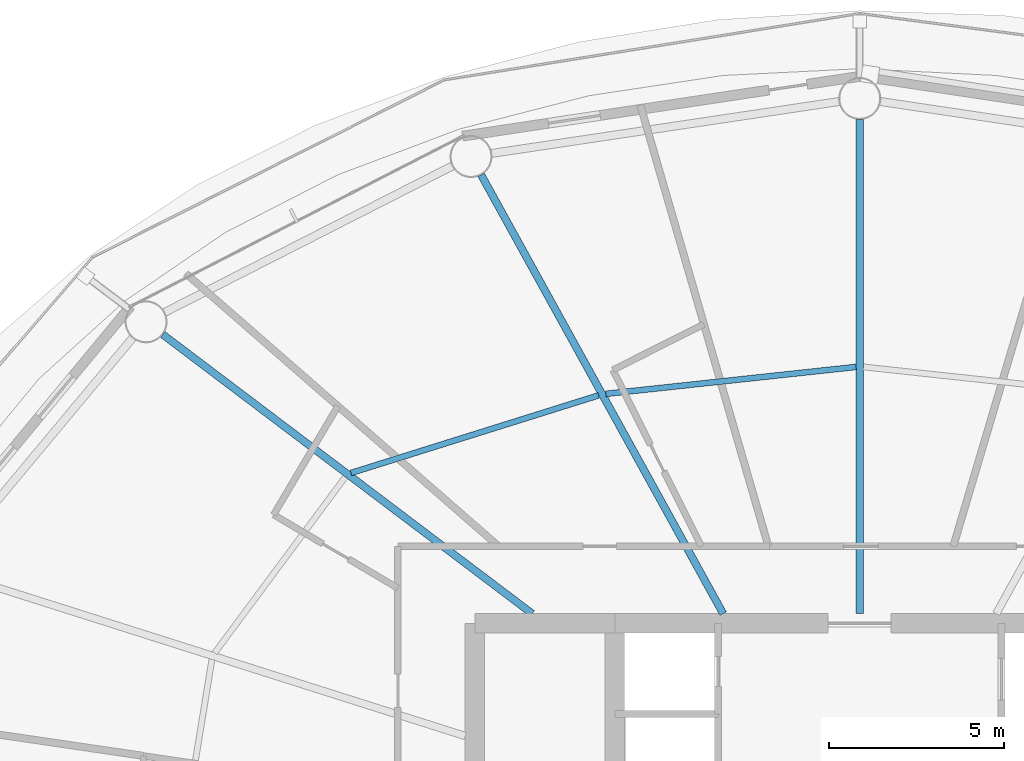
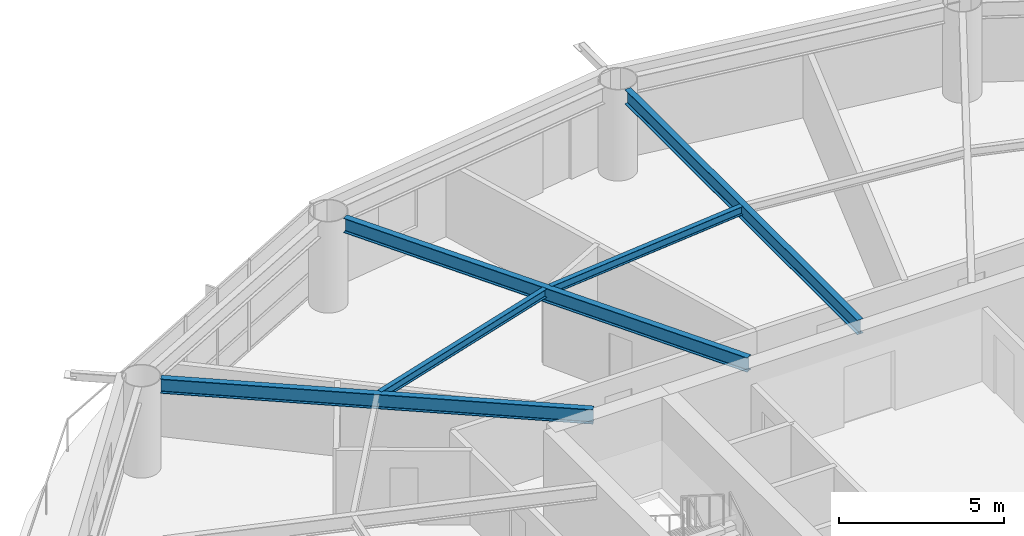
# One storey, part 9 of 24: 5 beams.
"""IFC4 building model written with IfcOpenShell, lengths in metres."""

from ifc_helpers import new_model, si_unit, direction, frame, origin, origin_2d, place, context, subcontext, project, spatial, i_section, extrude, material, material_profile, profile_set, type_object, element, save


model = new_model("IFC4")

# Units and contexts
model_context = context("Model", 3, precision=1e-05, world=origin(), true_north=direction((0.0, 1.0)))
body_context = subcontext(model_context, "Body", "Model", "MODEL_VIEW")
ifc_project = project(units=[si_unit("LENGTHUNIT", "METRE"), si_unit("AREAUNIT", "SQUARE_METRE"), si_unit("VOLUMEUNIT", "CUBIC_METRE"), si_unit("PLANEANGLEUNIT", "RADIAN"), si_unit("MASSUNIT", "GRAM", prefix="KILO")], contexts=[model_context])

# Site, building, storey
site_placement = place(None, origin())
site = spatial("IfcSite", under=ifc_project, at=site_placement, CompositionType="ELEMENT")
building_placement = place(site_placement, origin())
building = spatial("IfcBuilding", under=site, at=building_placement, Name="Sarneth Arch Tower", CompositionType="ELEMENT")
storey_placement = place(building_placement, frame((0.0, 0.0, 116.39990234375)))
storey = spatial("IfcBuildingStorey", under=building, at=storey_placement, Name="L29", CompositionType="ELEMENT", Elevation=116.39990234375)

# Beams
ifc_material_1 = material(Name="Steel S355", Category="steel")
ifc_material_profile_1 = material_profile(ifc_material_1, i_section(OverallWidth=0.1669921875, OverallDepth=0.31689453125, WebThickness=0.007568359375, FlangeThickness=0.01318359375, FilletRadius=0.012939453125, at=origin_2d()), Name="W310x52")
ifc_profile_set_1 = profile_set([ifc_material_profile_1], Name="Steel S355")
beam_type_1 = type_object("IfcBeamType", Name="BM-JOIST-310B", PredefinedType="JOIST", material=ifc_profile_set_1)
beam_1_placement = place(storey_placement, frame((47.89501953125, 56.126220703125, 3.2216796875), z_axis=(-0.994257420028, -0.107014871487, 0.0), x_axis=(0.107014871487, -0.994257420028, 0.0)))
element("IfcBeam", 1, at=beam_1_placement, inside=storey, type_object=beam_type_1, Name="L29 Secondary floor joist 05", PredefinedType="JOIST", context=body_context, shape_type="SweptSolid", body=[
    extrude(i_section(OverallWidth=0.1669921875, OverallDepth=0.31689453125, WebThickness=0.007568359375, FlangeThickness=0.01318359375, FilletRadius=0.012939453125, at=origin_2d()), origin(), (0.0, 0.0, 1.0), 7.193115234375),
])
beam_2_placement = place(storey_placement, frame((40.53759765625, 55.3134765625, 3.2216796875), z_axis=(-0.954245982384, -0.299022750146, 0.0), x_axis=(0.299022750146, -0.954245982384, 0.0)))
element("IfcBeam", 2, at=beam_2_placement, inside=storey, type_object=beam_type_1, Name="L29 Secondary floor joist 06", PredefinedType="JOIST", context=body_context, shape_type="SweptSolid", body=[
    extrude(i_section(OverallWidth=0.1669921875, OverallDepth=0.31689453125, WebThickness=0.007568359375, FlangeThickness=0.01318359375, FilletRadius=0.012939453125, at=origin_2d()), origin(), (0.0, 0.0, 1.0), 7.416748046875),
])
ifc_material_2 = material(Name="Steel S355", Category="steel")
ifc_material_profile_2 = material_profile(ifc_material_2, i_section(OverallWidth=0.2109375, OverallDepth=0.5390625, WebThickness=0.01171875, FlangeThickness=0.018798828125, FilletRadius=0.01806640625, at=origin_2d()), Name="W530x109")
ifc_profile_set_2 = profile_set([ifc_material_profile_2], Name="Steel S355")
beam_type_2 = type_object("IfcBeamType", Name="BM-RAD-530B", PredefinedType="BEAM", material=ifc_profile_set_2)
beam_3_placement = place(storey_placement, frame((48.0, 49.074951171875, 3.110595703125), z_axis=(0.0, 1.0, 0.0), x_axis=(-1.0, 0.0, 0.0)))
element("IfcBeam", 3, at=beam_3_placement, inside=storey, type_object=beam_type_2, Name="L29 Radial floor girder 05", PredefinedType="BEAM", context=body_context, shape_type="SweptSolid", body=[
    extrude(i_section(OverallWidth=0.2109375, OverallDepth=0.5390625, WebThickness=0.01171875, FlangeThickness=0.018798828125, FilletRadius=0.01806640625, at=origin_2d()), origin(), (0.0, 0.0, 1.0), 14.125),
])
beam_4_placement = place(storey_placement, frame((44.09716796875, 49.074951171875, 3.110595703125), z_axis=(-0.483021011336, 0.875608761153, 0.0), x_axis=(-0.875608761153, -0.483021011336, 0.0)))
element("IfcBeam", 4, at=beam_4_placement, inside=storey, type_object=beam_type_2, Name="L29 Radial floor girder 06", PredefinedType="BEAM", context=body_context, shape_type="SweptSolid", body=[
    extrude(i_section(OverallWidth=0.2109375, OverallDepth=0.5390625, WebThickness=0.01171875, FlangeThickness=0.018798828125, FilletRadius=0.01806640625, at=origin_2d()), origin(), (0.0, 0.0, 1.0), 14.32177734375),
])
beam_5_placement = place(storey_placement, frame((38.63818359375, 49.074951171875, 3.110595703125), z_axis=(-0.797802835234, 0.602918432371, 0.0), x_axis=(-0.602918432371, -0.797802835234, 0.0)))
element("IfcBeam", 5, at=beam_5_placement, inside=storey, type_object=beam_type_2, Name="L29 Radial floor girder 07", PredefinedType="BEAM", context=body_context, shape_type="SweptSolid", body=[
    extrude(i_section(OverallWidth=0.2109375, OverallDepth=0.5390625, WebThickness=0.01171875, FlangeThickness=0.018798828125, FilletRadius=0.01806640625, at=origin_2d()), origin(), (0.0, 0.0, 1.0), 13.232666015625),
])

save(model, "model.ifc")
